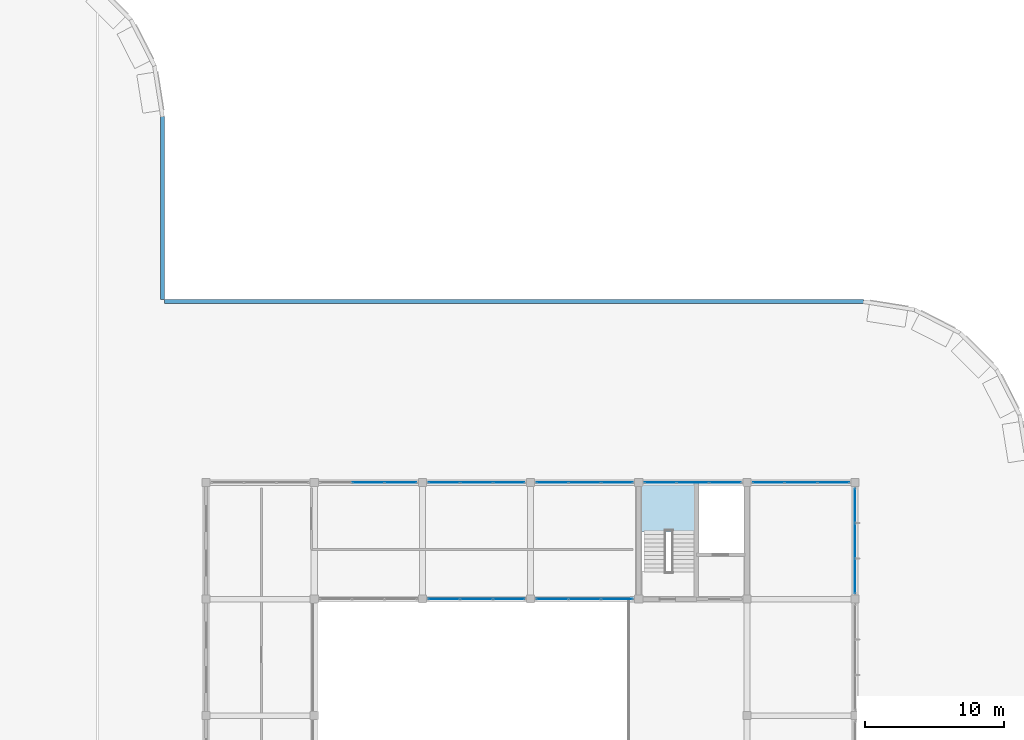
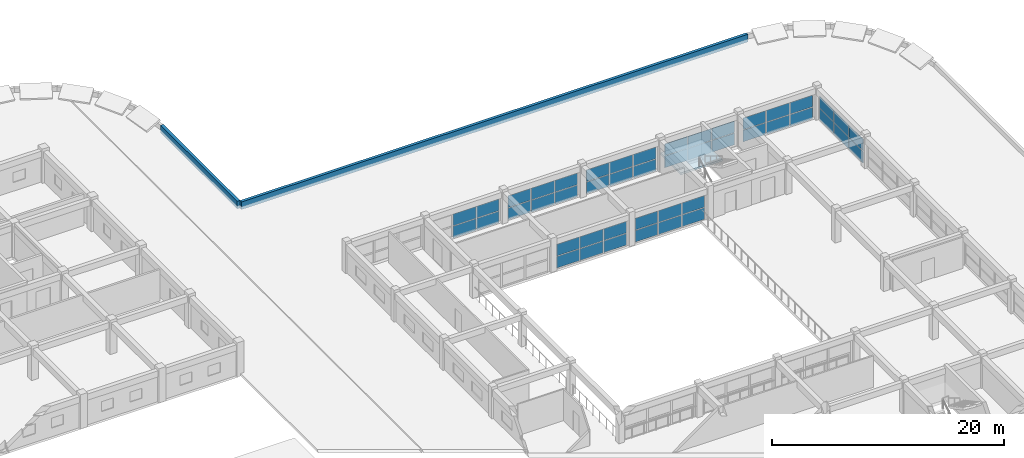
# One storey, part 84 of 101: 48 plates, 1 slab, 9 elements without a shape of their own.
"""IFC4 building model written with IfcOpenShell, lengths in metres."""

import ifcopenshell
import ifcopenshell.guid

model = None  # the IFC model being written
_history = None  # IfcOwnerHistory: only IFC2X3 demands one
_inside = {}  # id of a spatial element -> (the spatial element, [elements in it])
_under = {}  # id of a project, library or spatial element -> (it, [spatial elements below it])
_declared = {}  # id of a project -> (the project, [libraries it declares])
_typed = {}  # id of a type object -> (the type object, [elements of that type])
_made_of = {}  # id of a material, layer set ... -> (it, [elements and type objects made of it])


def new_model(schema):
    """Start an empty IFC model of exactly this schema.

    Asked for "IFC4X3", IfcOpenShell would pick the latest addendum, in which some entities
    have other attributes; the version numbers below select the first issue.
    IFC2X3 requires an IfcOwnerHistory on every rooted entity: one is made here for all.
    """
    global model, _history
    if schema == "IFC4X3":
        model = ifcopenshell.file(schema_version=(4, 3, 0, 0))
    else:
        model = ifcopenshell.file(schema=schema)
    _inside.clear()
    _under.clear()
    _declared.clear()
    _typed.clear()
    _made_of.clear()
    _history = None
    if model.schema == "IFC2X3":
        org = make("IfcOrganization", Name="unknown")
        user = make(
            "IfcPersonAndOrganization",
            ThePerson=make("IfcPerson", FamilyName="unknown"),
            TheOrganization=org,
        )
        app = make(
            "IfcApplication",
            ApplicationDeveloper=org,
            Version="unknown",
            ApplicationFullName="unknown",
            ApplicationIdentifier="unknown",
        )
        _history = make(
            "IfcOwnerHistory",
            OwningUser=user,
            OwningApplication=app,
            ChangeAction="ADDED",
            CreationDate=0,
        )
    return model


def make(cls, **values):
    """One entity of the class cls with the attributes given. An attribute that is None is left unset."""
    return model.create_entity(
        cls, **{name: value for name, value in values.items() if value is not None}
    )


def rooted(cls, **values):
    """An entity with a GlobalId (a new one), such as an element, a storey or a relation."""
    return make(cls, GlobalId=ifcopenshell.guid.new(), OwnerHistory=_history, **values)


def si_unit(unit_type, name, prefix=None):
    """IfcSIUnit, for example si_unit("LENGTHUNIT", "METRE", prefix="MILLI")."""
    return make("IfcSIUnit", UnitType=unit_type, Prefix=prefix, Name=name)


def assignment(units):
    """IfcUnitAssignment: the units of a project."""
    return None if units is None else make("IfcUnitAssignment", Units=units)


def point(xyz):
    """IfcCartesianPoint."""
    return None if xyz is None else make("IfcCartesianPoint", Coordinates=xyz)


def direction(xyz):
    """IfcDirection."""
    return None if xyz is None else make("IfcDirection", DirectionRatios=xyz)


def frame(location, z_axis=None, x_axis=None):
    """IfcAxis2Placement3D, a coordinate frame: its origin and axes. An axis left out is left unset."""
    return make(
        "IfcAxis2Placement3D",
        Location=point(location),
        Axis=direction(z_axis),
        RefDirection=direction(x_axis),
    )


def frame_2d(location, x_axis=None):
    """IfcAxis2Placement2D, a coordinate frame in the plane: its origin and x axis."""
    return make(
        "IfcAxis2Placement2D", Location=point(location), RefDirection=direction(x_axis)
    )


def origin():
    """The frame at (0, 0, 0) with its axes left unset."""
    return frame((0.0, 0.0, 0.0))


def origin_2d():
    """The frame at (0, 0) in the plane with its x axis left unset."""
    return frame_2d((0.0, 0.0))


def place(relative_to, where):
    """IfcLocalPlacement: puts the frame where relative to a parent placement (None: the world)."""
    return make(
        "IfcLocalPlacement", PlacementRelTo=relative_to, RelativePlacement=where
    )


def context(
    kind, dimensions, precision=None, world=None, true_north=None, identifier=None
):
    """IfcGeometricRepresentationContext, for example the 3D "Model" context."""
    return make(
        "IfcGeometricRepresentationContext",
        ContextIdentifier=identifier,
        ContextType=kind,
        CoordinateSpaceDimension=dimensions,
        Precision=precision,
        WorldCoordinateSystem=world,
        TrueNorth=true_north,
    )


def subcontext(parent, identifier, kind, view, scale=None):
    """IfcGeometricRepresentationSubContext, for example "Body" below "Model"."""
    return make(
        "IfcGeometricRepresentationSubContext",
        ContextIdentifier=identifier,
        ContextType=kind,
        ParentContext=parent,
        TargetScale=scale,
        TargetView=view,
    )


def project(units=None, contexts=None):
    """IfcProject with its units and contexts."""
    return rooted(
        "IfcProject",
        Name="project",
        RepresentationContexts=contexts,
        UnitsInContext=assignment(units),
    )


def spatial(cls, under=None, at=None, **own):
    """A site, building, storey or space (cls), placed at a placement, below another one or the project."""
    s = rooted(cls, ObjectPlacement=at, **own)
    if under is not None:
        _under.setdefault(under.id(), (under, []))[1].append(s)
    return s


def polyline(points):
    """IfcPolyline through the points."""
    return make("IfcPolyline", Points=[point(p) for p in points])


def profile(cls, at=None, kind="AREA", **sizes):
    """A parametric profile (cls). Its sizes go by their IFC names, for example OverallWidth=200.0."""
    return make(cls, ProfileType=kind, Position=at, **sizes)


def rectangle(**sizes):
    """IfcRectangleProfileDef."""
    return profile("IfcRectangleProfileDef", **sizes)


def outline(outer, holes=None, kind="AREA"):
    """IfcArbitraryClosedProfileDef: a profile drawn as a closed curve; with holes, ...WithVoids."""
    if holes is None:
        return make("IfcArbitraryClosedProfileDef", ProfileType=kind, OuterCurve=outer)
    return make(
        "IfcArbitraryProfileDefWithVoids",
        ProfileType=kind,
        OuterCurve=outer,
        InnerCurves=holes,
    )


def extrude(swept, where, along, depth):
    """IfcExtrudedAreaSolid: the profile swept, set in the frame where, extruded along a direction by depth."""
    return make(
        "IfcExtrudedAreaSolid",
        SweptArea=swept,
        Position=where,
        ExtrudedDirection=direction(along),
        Depth=depth,
    )


def shape(context_of_items, identifier, shape_type, items):
    """IfcShapeRepresentation: the items that make up one representation, for example the "Body"."""
    return make(
        "IfcShapeRepresentation",
        ContextOfItems=context_of_items,
        RepresentationIdentifier=identifier,
        RepresentationType=shape_type,
        Items=items,
    )


def material(Name=None, Category=None):
    """IfcMaterial."""
    return make("IfcMaterial", Name=Name, Category=Category)


def layer(
    of_material, thickness, ventilated=None, Name=None, Category=None, Priority=None
):
    """IfcMaterialLayer: one layer of a wall or slab, of a material (None: an air gap)."""
    return make(
        "IfcMaterialLayer",
        Material=of_material,
        LayerThickness=thickness,
        IsVentilated=ventilated,
        Name=Name,
        Category=Category,
        Priority=Priority,
    )


def layer_set(layers, Name=None):
    """IfcMaterialLayerSet."""
    return make("IfcMaterialLayerSet", MaterialLayers=layers, LayerSetName=Name)


def made_of(thing, what):
    """Note that an element or type object is made of a material, layer set ...; save() writes the relation."""
    if what is not None:
        _made_of.setdefault(what.id(), (what, []))[1].append(thing)
    return thing


def type_object(cls, material=None, **own):
    """A type object (cls), such as IfcWallType, which elements share."""
    return made_of(rooted(cls, **own), material)


def element(
    cls,
    number,
    at=None,
    inside=None,
    cuts=None,
    type_object=None,
    material=None,
    context=None,
    identifier="Body",
    shape_type=None,
    held_by="IfcProductDefinitionShape",
    body=None,
    shapes=None,
    **own,
):
    """One element of the class cls, such as IfcWall. Its Tag is "e" and its number.

    at: its placement. inside: the storey or other place that contains it. cuts: it is an
    opening in that element (IfcRelVoidsElement). A single representation is given by context,
    identifier, shape_type and body (its items); several are given by shapes. held_by: the class
    of the entity that holds the representations. save() writes the other relations.
    """
    e = rooted(cls, Tag="e%d" % number, ObjectPlacement=at, **own)
    if body is not None:
        shapes = [shape(context, identifier, shape_type, body)]
    if shapes is not None:
        e.Representation = make(held_by, Representations=shapes)
    if inside is not None:
        _inside.setdefault(inside.id(), (inside, []))[1].append(e)
    if cuts is not None:
        rooted(
            "IfcRelVoidsElement", RelatingBuildingElement=cuts, RelatedOpeningElement=e
        )
    if type_object is not None:
        _typed.setdefault(type_object.id(), (type_object, []))[1].append(e)
    return made_of(e, material)


def aggregate(whole, parts):
    """IfcRelAggregates: a whole, such as a stair, and the parts it consists of."""
    return rooted("IfcRelAggregates", RelatingObject=whole, RelatedObjects=parts)


def save(model, path):
    """Write the relations noted so far, then the file.

    IfcRelAggregates (storeys below a building ...), IfcRelContainedInSpatialStructure (elements
    in a storey), IfcRelDefinesByType, IfcRelAssociatesMaterial and IfcRelDeclares: one each for
    every whole, place, type object, material and project.
    """
    for whole, parts in _under.values():
        aggregate(whole, parts)
    for where, things in _inside.values():
        rooted(
            "IfcRelContainedInSpatialStructure",
            RelatedElements=things,
            RelatingStructure=where,
        )
    for kind, things in _typed.values():
        rooted("IfcRelDefinesByType", RelatedObjects=things, RelatingType=kind)
    for what, things in _made_of.values():
        rooted("IfcRelAssociatesMaterial", RelatedObjects=things, RelatingMaterial=what)
    for by, libraries in _declared.values():
        rooted("IfcRelDeclares", RelatingContext=by, RelatedDefinitions=libraries)
    model.write(path)


model = new_model("IFC4")

# Units and contexts
model_context = context("Model", 3, precision=1e-05, world=origin(), true_north=direction((0.0, 1.0)))
body_context = subcontext(model_context, "Body", "Model", "MODEL_VIEW")
ifc_project = project(units=[si_unit("LENGTHUNIT", "METRE"), si_unit("AREAUNIT", "SQUARE_METRE"), si_unit("VOLUMEUNIT", "CUBIC_METRE"), si_unit("PLANEANGLEUNIT", "RADIAN"), si_unit("MASSUNIT", "GRAM", prefix="KILO")], contexts=[model_context])

# Site, building, storey
site_placement = place(None, origin())
site = spatial("IfcSite", under=ifc_project, at=site_placement, CompositionType="ELEMENT")
building_placement = place(site_placement, origin())
building = spatial("IfcBuilding", under=site, at=building_placement, Name="Zizhar Promenade General Hospital", CompositionType="ELEMENT")
storey_placement = place(building_placement, frame((0.0, 0.0, 14.39990234375)))
storey = spatial("IfcBuildingStorey", under=building, at=storey_placement, Name="L03", CompositionType="ELEMENT", Elevation=14.39990234375)

# Curtain wall, plates
ifc_material_1 = material(Name="Anodised aluminium 6063-T6 and low-E glass", Category="aluminium")
ifc_layer_1 = layer(ifc_material_1, 0.159912109375)
ifc_layer_set_1 = layer_set([ifc_layer_1], Name="Anodised aluminium 6063-T6 and low-E glass")
curtain_wall_type_1 = type_object("IfcCurtainWallType", Name="CW-CLN-L03", PredefinedType="NOTDEFINED", material=ifc_layer_set_1)
curtain_wall_1_placement = place(storey_placement, origin())
curtain_wall_1 = element("IfcCurtainWall", 1, at=curtain_wall_1_placement, inside=storey, type_object=curtain_wall_type_1, Name="L03 Clinic Pavilion North Glazing 19", PredefinedType="NOTDEFINED")
ifc_material_2 = material(Name="Low-E solar-control glass", Category="glass")
ifc_layer_2 = layer(ifc_material_2, 0.031982421875)
ifc_layer_set_2 = layer_set([ifc_layer_2], Name="Low-E solar-control glass")
plate_type_1 = type_object("IfcPlateType", Name="CWP-GLZ-32", PredefinedType="CURTAIN_PANEL", material=ifc_layer_set_2)
plate_1_placement = place(storey_placement, frame((152.10009765625, 100.800048828125, 0.06005859375), z_axis=(0.0, 0.0, 1.0), x_axis=(1.0, 0.0, 0.0)))
plate_1 = element("IfcPlate", 2, at=plate_1_placement, type_object=plate_type_1, Name="CW-11 panel 2.1", PredefinedType="CURTAIN_PANEL", context=body_context, shape_type="SweptSolid", body=[
    extrude(rectangle(XDim=2.280029296875, YDim=0.031982421875, at=origin_2d()), origin(), (0.0, 0.0, 1.0), 1.219970703125),
])
plate_2_placement = place(storey_placement, frame((152.10009765625, 100.800048828125, 1.34033203125), z_axis=(0.0, 0.0, 1.0), x_axis=(1.0, 0.0, 0.0)))
plate_2 = element("IfcPlate", 3, at=plate_2_placement, type_object=plate_type_1, Name="CW-11 panel 2.2", PredefinedType="CURTAIN_PANEL", context=body_context, shape_type="SweptSolid", body=[
    extrude(rectangle(XDim=2.280029296875, YDim=0.031982421875, at=origin_2d()), origin(), (0.0, 0.0, 1.0), 1.219970703125),
])
plate_3_placement = place(storey_placement, frame((154.43994140625, 100.800048828125, 0.06005859375), z_axis=(0.0, 0.0, 1.0), x_axis=(1.0, 0.0, 0.0)))
plate_3 = element("IfcPlate", 4, at=plate_3_placement, type_object=plate_type_1, Name="CW-11 panel 3.1", PredefinedType="CURTAIN_PANEL", context=body_context, shape_type="SweptSolid", body=[
    extrude(rectangle(XDim=2.239990234375, YDim=0.031982421875, at=origin_2d()), origin(), (0.0, 0.0, 1.0), 1.219970703125),
])
plate_4_placement = place(storey_placement, frame((154.43994140625, 100.800048828125, 1.34033203125), z_axis=(0.0, 0.0, 1.0), x_axis=(1.0, 0.0, 0.0)))
plate_4 = element("IfcPlate", 5, at=plate_4_placement, type_object=plate_type_1, Name="CW-11 panel 3.2", PredefinedType="CURTAIN_PANEL", context=body_context, shape_type="SweptSolid", body=[
    extrude(rectangle(XDim=2.239990234375, YDim=0.031982421875, at=origin_2d()), origin(), (0.0, 0.0, 1.0), 1.219970703125),
])
aggregate(curtain_wall_1, [plate_1, plate_2, plate_3, plate_4])

curtain_wall_2_placement = place(storey_placement, origin())
curtain_wall_2 = element("IfcCurtainWall", 6, at=curtain_wall_2_placement, inside=storey, type_object=curtain_wall_type_1, Name="L03 Clinic Pavilion North Glazing 20", PredefinedType="NOTDEFINED")
plate_5_placement = place(storey_placement, frame((157.56005859375, 100.800048828125, 0.06005859375), z_axis=(0.0, 0.0, 1.0), x_axis=(1.0, 0.0, 0.0)))
plate_5 = element("IfcPlate", 7, at=plate_5_placement, type_object=plate_type_1, Name="CW-11 panel 1.1", PredefinedType="CURTAIN_PANEL", context=body_context, shape_type="SweptSolid", body=[
    extrude(rectangle(XDim=2.239990234375, YDim=0.031982421875, at=origin_2d()), origin(), (0.0, 0.0, 1.0), 1.219970703125),
])
plate_6_placement = place(storey_placement, frame((157.56005859375, 100.800048828125, 1.34033203125), z_axis=(0.0, 0.0, 1.0), x_axis=(1.0, 0.0, 0.0)))
plate_6 = element("IfcPlate", 8, at=plate_6_placement, type_object=plate_type_1, Name="CW-11 panel 1.2", PredefinedType="CURTAIN_PANEL", context=body_context, shape_type="SweptSolid", body=[
    extrude(rectangle(XDim=2.239990234375, YDim=0.031982421875, at=origin_2d()), origin(), (0.0, 0.0, 1.0), 1.219970703125),
])
plate_7_placement = place(storey_placement, frame((159.89990234375, 100.800048828125, 0.06005859375), z_axis=(0.0, 0.0, 1.0), x_axis=(1.0, 0.0, 0.0)))
plate_7 = element("IfcPlate", 9, at=plate_7_placement, type_object=plate_type_1, Name="CW-11 panel 2.1", PredefinedType="CURTAIN_PANEL", context=body_context, shape_type="SweptSolid", body=[
    extrude(rectangle(XDim=2.280029296875, YDim=0.031982421875, at=origin_2d()), origin(), (0.0, 0.0, 1.0), 1.219970703125),
])
plate_8_placement = place(storey_placement, frame((159.89990234375, 100.800048828125, 1.34033203125), z_axis=(0.0, 0.0, 1.0), x_axis=(1.0, 0.0, 0.0)))
plate_8 = element("IfcPlate", 10, at=plate_8_placement, type_object=plate_type_1, Name="CW-11 panel 2.2", PredefinedType="CURTAIN_PANEL", context=body_context, shape_type="SweptSolid", body=[
    extrude(rectangle(XDim=2.280029296875, YDim=0.031982421875, at=origin_2d()), origin(), (0.0, 0.0, 1.0), 1.219970703125),
])
plate_9_placement = place(storey_placement, frame((162.239990234375, 100.800048828125, 0.06005859375), z_axis=(0.0, 0.0, 1.0), x_axis=(1.0, 0.0, 0.0)))
plate_9 = element("IfcPlate", 11, at=plate_9_placement, type_object=plate_type_1, Name="CW-11 panel 3.1", PredefinedType="CURTAIN_PANEL", context=body_context, shape_type="SweptSolid", body=[
    extrude(rectangle(XDim=2.239990234375, YDim=0.031982421875, at=origin_2d()), origin(), (0.0, 0.0, 1.0), 1.219970703125),
])
plate_10_placement = place(storey_placement, frame((162.239990234375, 100.800048828125, 1.34033203125), z_axis=(0.0, 0.0, 1.0), x_axis=(1.0, 0.0, 0.0)))
plate_10 = element("IfcPlate", 12, at=plate_10_placement, type_object=plate_type_1, Name="CW-11 panel 3.2", PredefinedType="CURTAIN_PANEL", context=body_context, shape_type="SweptSolid", body=[
    extrude(rectangle(XDim=2.239990234375, YDim=0.031982421875, at=origin_2d()), origin(), (0.0, 0.0, 1.0), 1.219970703125),
])
aggregate(curtain_wall_2, [plate_5, plate_6, plate_7, plate_8, plate_9, plate_10])

curtain_wall_3_placement = place(storey_placement, origin())
curtain_wall_3 = element("IfcCurtainWall", 13, at=curtain_wall_3_placement, inside=storey, type_object=curtain_wall_type_1, Name="L03 Clinic Pavilion North Glazing 21", PredefinedType="NOTDEFINED")
plate_11_placement = place(storey_placement, frame((165.360107421875, 100.800048828125, 0.06005859375), z_axis=(0.0, 0.0, 1.0), x_axis=(1.0, 0.0, 0.0)))
plate_11 = element("IfcPlate", 14, at=plate_11_placement, type_object=plate_type_1, Name="CW-11 panel 1.1", PredefinedType="CURTAIN_PANEL", context=body_context, shape_type="SweptSolid", body=[
    extrude(rectangle(XDim=2.239990234375, YDim=0.031982421875, at=origin_2d()), origin(), (0.0, 0.0, 1.0), 1.219970703125),
])
plate_12_placement = place(storey_placement, frame((165.360107421875, 100.800048828125, 1.34033203125), z_axis=(0.0, 0.0, 1.0), x_axis=(1.0, 0.0, 0.0)))
plate_12 = element("IfcPlate", 15, at=plate_12_placement, type_object=plate_type_1, Name="CW-11 panel 1.2", PredefinedType="CURTAIN_PANEL", context=body_context, shape_type="SweptSolid", body=[
    extrude(rectangle(XDim=2.239990234375, YDim=0.031982421875, at=origin_2d()), origin(), (0.0, 0.0, 1.0), 1.219970703125),
])
plate_13_placement = place(storey_placement, frame((167.699951171875, 100.800048828125, 0.06005859375), z_axis=(0.0, 0.0, 1.0), x_axis=(1.0, 0.0, 0.0)))
plate_13 = element("IfcPlate", 16, at=plate_13_placement, type_object=plate_type_1, Name="CW-11 panel 2.1", PredefinedType="CURTAIN_PANEL", context=body_context, shape_type="SweptSolid", body=[
    extrude(rectangle(XDim=2.280029296875, YDim=0.031982421875, at=origin_2d()), origin(), (0.0, 0.0, 1.0), 1.219970703125),
])
plate_14_placement = place(storey_placement, frame((167.699951171875, 100.800048828125, 1.34033203125), z_axis=(0.0, 0.0, 1.0), x_axis=(1.0, 0.0, 0.0)))
plate_14 = element("IfcPlate", 17, at=plate_14_placement, type_object=plate_type_1, Name="CW-11 panel 2.2", PredefinedType="CURTAIN_PANEL", context=body_context, shape_type="SweptSolid", body=[
    extrude(rectangle(XDim=2.280029296875, YDim=0.031982421875, at=origin_2d()), origin(), (0.0, 0.0, 1.0), 1.219970703125),
])
plate_15_placement = place(storey_placement, frame((170.0400390625, 100.800048828125, 0.06005859375), z_axis=(0.0, 0.0, 1.0), x_axis=(1.0, 0.0, 0.0)))
plate_15 = element("IfcPlate", 18, at=plate_15_placement, type_object=plate_type_1, Name="CW-11 panel 3.1", PredefinedType="CURTAIN_PANEL", context=body_context, shape_type="SweptSolid", body=[
    extrude(rectangle(XDim=2.239990234375, YDim=0.031982421875, at=origin_2d()), origin(), (0.0, 0.0, 1.0), 1.219970703125),
])
plate_16_placement = place(storey_placement, frame((170.0400390625, 100.800048828125, 1.34033203125), z_axis=(0.0, 0.0, 1.0), x_axis=(1.0, 0.0, 0.0)))
plate_16 = element("IfcPlate", 19, at=plate_16_placement, type_object=plate_type_1, Name="CW-11 panel 3.2", PredefinedType="CURTAIN_PANEL", context=body_context, shape_type="SweptSolid", body=[
    extrude(rectangle(XDim=2.239990234375, YDim=0.031982421875, at=origin_2d()), origin(), (0.0, 0.0, 1.0), 1.219970703125),
])
aggregate(curtain_wall_3, [plate_11, plate_12, plate_13, plate_14, plate_15, plate_16])

curtain_wall_4_placement = place(storey_placement, origin())
curtain_wall_4 = element("IfcCurtainWall", 20, at=curtain_wall_4_placement, inside=storey, type_object=curtain_wall_type_1, Name="L03 Clinic Pavilion North Glazing 22", PredefinedType="NOTDEFINED")
plate_17_placement = place(storey_placement, frame((173.159912109375, 100.800048828125, 0.06005859375), z_axis=(0.0, 0.0, 1.0), x_axis=(1.0, 0.0, 0.0)))
plate_17 = element("IfcPlate", 21, at=plate_17_placement, type_object=plate_type_1, Name="CW-11 panel 1.1", PredefinedType="CURTAIN_PANEL", context=body_context, shape_type="SweptSolid", body=[
    extrude(rectangle(XDim=2.239990234375, YDim=0.031982421875, at=origin_2d()), origin(), (0.0, 0.0, 1.0), 1.219970703125),
])
plate_18_placement = place(storey_placement, frame((173.159912109375, 100.800048828125, 1.34033203125), z_axis=(0.0, 0.0, 1.0), x_axis=(1.0, 0.0, 0.0)))
plate_18 = element("IfcPlate", 22, at=plate_18_placement, type_object=plate_type_1, Name="CW-11 panel 1.2", PredefinedType="CURTAIN_PANEL", context=body_context, shape_type="SweptSolid", body=[
    extrude(rectangle(XDim=2.239990234375, YDim=0.031982421875, at=origin_2d()), origin(), (0.0, 0.0, 1.0), 1.219970703125),
])
plate_19_placement = place(storey_placement, frame((175.5, 100.800048828125, 0.06005859375), z_axis=(0.0, 0.0, 1.0), x_axis=(1.0, 0.0, 0.0)))
plate_19 = element("IfcPlate", 23, at=plate_19_placement, type_object=plate_type_1, Name="CW-11 panel 2.1", PredefinedType="CURTAIN_PANEL", context=body_context, shape_type="SweptSolid", body=[
    extrude(rectangle(XDim=2.280029296875, YDim=0.031982421875, at=origin_2d()), origin(), (0.0, 0.0, 1.0), 1.219970703125),
])
plate_20_placement = place(storey_placement, frame((175.5, 100.800048828125, 1.34033203125), z_axis=(0.0, 0.0, 1.0), x_axis=(1.0, 0.0, 0.0)))
plate_20 = element("IfcPlate", 24, at=plate_20_placement, type_object=plate_type_1, Name="CW-11 panel 2.2", PredefinedType="CURTAIN_PANEL", context=body_context, shape_type="SweptSolid", body=[
    extrude(rectangle(XDim=2.280029296875, YDim=0.031982421875, at=origin_2d()), origin(), (0.0, 0.0, 1.0), 1.219970703125),
])
plate_21_placement = place(storey_placement, frame((177.840087890625, 100.800048828125, 0.06005859375), z_axis=(0.0, 0.0, 1.0), x_axis=(1.0, 0.0, 0.0)))
plate_21 = element("IfcPlate", 25, at=plate_21_placement, type_object=plate_type_1, Name="CW-11 panel 3.1", PredefinedType="CURTAIN_PANEL", context=body_context, shape_type="SweptSolid", body=[
    extrude(rectangle(XDim=2.239990234375, YDim=0.031982421875, at=origin_2d()), origin(), (0.0, 0.0, 1.0), 1.219970703125),
])
plate_22_placement = place(storey_placement, frame((177.840087890625, 100.800048828125, 1.34033203125), z_axis=(0.0, 0.0, 1.0), x_axis=(1.0, 0.0, 0.0)))
plate_22 = element("IfcPlate", 26, at=plate_22_placement, type_object=plate_type_1, Name="CW-11 panel 3.2", PredefinedType="CURTAIN_PANEL", context=body_context, shape_type="SweptSolid", body=[
    extrude(rectangle(XDim=2.239990234375, YDim=0.031982421875, at=origin_2d()), origin(), (0.0, 0.0, 1.0), 1.219970703125),
])
aggregate(curtain_wall_4, [plate_17, plate_18, plate_19, plate_20, plate_21, plate_22])

curtain_wall_5_placement = place(storey_placement, origin())
curtain_wall_5 = element("IfcCurtainWall", 27, at=curtain_wall_5_placement, inside=storey, type_object=curtain_wall_type_1, Name="L03 Clinic Pavilion North Glazing 23", PredefinedType="NOTDEFINED")
plate_23_placement = place(storey_placement, frame((180.9599609375, 100.800048828125, 0.06005859375), z_axis=(0.0, 0.0, 1.0), x_axis=(1.0, 0.0, 0.0)))
plate_23 = element("IfcPlate", 28, at=plate_23_placement, type_object=plate_type_1, Name="CW-11 panel 1.1", PredefinedType="CURTAIN_PANEL", context=body_context, shape_type="SweptSolid", body=[
    extrude(rectangle(XDim=2.239990234375, YDim=0.031982421875, at=origin_2d()), origin(), (0.0, 0.0, 1.0), 1.219970703125),
])
plate_24_placement = place(storey_placement, frame((180.9599609375, 100.800048828125, 1.34033203125), z_axis=(0.0, 0.0, 1.0), x_axis=(1.0, 0.0, 0.0)))
plate_24 = element("IfcPlate", 29, at=plate_24_placement, type_object=plate_type_1, Name="CW-11 panel 1.2", PredefinedType="CURTAIN_PANEL", context=body_context, shape_type="SweptSolid", body=[
    extrude(rectangle(XDim=2.239990234375, YDim=0.031982421875, at=origin_2d()), origin(), (0.0, 0.0, 1.0), 1.219970703125),
])
plate_25_placement = place(storey_placement, frame((183.300048828125, 100.800048828125, 0.06005859375), z_axis=(0.0, 0.0, 1.0), x_axis=(1.0, 0.0, 0.0)))
plate_25 = element("IfcPlate", 30, at=plate_25_placement, type_object=plate_type_1, Name="CW-11 panel 2.1", PredefinedType="CURTAIN_PANEL", context=body_context, shape_type="SweptSolid", body=[
    extrude(rectangle(XDim=2.280029296875, YDim=0.031982421875, at=origin_2d()), origin(), (0.0, 0.0, 1.0), 1.219970703125),
])
plate_26_placement = place(storey_placement, frame((183.300048828125, 100.800048828125, 1.34033203125), z_axis=(0.0, 0.0, 1.0), x_axis=(1.0, 0.0, 0.0)))
plate_26 = element("IfcPlate", 31, at=plate_26_placement, type_object=plate_type_1, Name="CW-11 panel 2.2", PredefinedType="CURTAIN_PANEL", context=body_context, shape_type="SweptSolid", body=[
    extrude(rectangle(XDim=2.280029296875, YDim=0.031982421875, at=origin_2d()), origin(), (0.0, 0.0, 1.0), 1.219970703125),
])
plate_27_placement = place(storey_placement, frame((185.639892578125, 100.800048828125, 0.06005859375), z_axis=(0.0, 0.0, 1.0), x_axis=(1.0, 0.0, 0.0)))
plate_27 = element("IfcPlate", 32, at=plate_27_placement, type_object=plate_type_1, Name="CW-11 panel 3.1", PredefinedType="CURTAIN_PANEL", context=body_context, shape_type="SweptSolid", body=[
    extrude(rectangle(XDim=2.239990234375, YDim=0.031982421875, at=origin_2d()), origin(), (0.0, 0.0, 1.0), 1.219970703125),
])
plate_28_placement = place(storey_placement, frame((185.639892578125, 100.800048828125, 1.34033203125), z_axis=(0.0, 0.0, 1.0), x_axis=(1.0, 0.0, 0.0)))
plate_28 = element("IfcPlate", 33, at=plate_28_placement, type_object=plate_type_1, Name="CW-11 panel 3.2", PredefinedType="CURTAIN_PANEL", context=body_context, shape_type="SweptSolid", body=[
    extrude(rectangle(XDim=2.239990234375, YDim=0.031982421875, at=origin_2d()), origin(), (0.0, 0.0, 1.0), 1.219970703125),
])
aggregate(curtain_wall_5, [plate_23, plate_24, plate_25, plate_26, plate_27, plate_28])

curtain_wall_6_placement = place(storey_placement, origin())
curtain_wall_6 = element("IfcCurtainWall", 34, at=curtain_wall_6_placement, inside=storey, type_object=curtain_wall_type_1, Name="L03 Clinic Pavilion East Glazing 11", PredefinedType="NOTDEFINED")
plate_29_placement = place(storey_placement, frame((187.199951171875, 99.139892578125, 0.06005859375), z_axis=(0.0, 0.0, 1.0), x_axis=(0.0, -1.0, 0.0)))
plate_29 = element("IfcPlate", 35, at=plate_29_placement, type_object=plate_type_1, Name="CW-11 panel 1.1", PredefinedType="CURTAIN_PANEL", context=body_context, shape_type="SweptSolid", body=[
    extrude(rectangle(XDim=2.43994140625, YDim=0.031982421875, at=origin_2d()), origin(), (0.0, 0.0, 1.0), 1.219970703125),
])
plate_30_placement = place(storey_placement, frame((187.199951171875, 99.139892578125, 1.34033203125), z_axis=(0.0, 0.0, 1.0), x_axis=(0.0, -1.0, 0.0)))
plate_30 = element("IfcPlate", 36, at=plate_30_placement, type_object=plate_type_1, Name="CW-11 panel 1.2", PredefinedType="CURTAIN_PANEL", context=body_context, shape_type="SweptSolid", body=[
    extrude(rectangle(XDim=2.43994140625, YDim=0.031982421875, at=origin_2d()), origin(), (0.0, 0.0, 1.0), 1.219970703125),
])
plate_31_placement = place(storey_placement, frame((187.199951171875, 96.60009765625, 0.06005859375), z_axis=(0.0, 0.0, 1.0), x_axis=(0.0, -1.0, 0.0)))
plate_31 = element("IfcPlate", 37, at=plate_31_placement, type_object=plate_type_1, Name="CW-11 panel 2.1", PredefinedType="CURTAIN_PANEL", context=body_context, shape_type="SweptSolid", body=[
    extrude(rectangle(XDim=2.47998046875, YDim=0.031982421875, at=origin_2d()), origin(), (0.0, 0.0, 1.0), 1.219970703125),
])
plate_32_placement = place(storey_placement, frame((187.199951171875, 96.60009765625, 1.34033203125), z_axis=(0.0, 0.0, 1.0), x_axis=(0.0, -1.0, 0.0)))
plate_32 = element("IfcPlate", 38, at=plate_32_placement, type_object=plate_type_1, Name="CW-11 panel 2.2", PredefinedType="CURTAIN_PANEL", context=body_context, shape_type="SweptSolid", body=[
    extrude(rectangle(XDim=2.47998046875, YDim=0.031982421875, at=origin_2d()), origin(), (0.0, 0.0, 1.0), 1.219970703125),
])
plate_33_placement = place(storey_placement, frame((187.199951171875, 94.06005859375, 0.06005859375), z_axis=(0.0, 0.0, 1.0), x_axis=(0.0, -1.0, 0.0)))
plate_33 = element("IfcPlate", 39, at=plate_33_placement, type_object=plate_type_1, Name="CW-11 panel 3.1", PredefinedType="CURTAIN_PANEL", context=body_context, shape_type="SweptSolid", body=[
    extrude(rectangle(XDim=2.43994140625, YDim=0.031982421875, at=origin_2d()), origin(), (0.0, 0.0, 1.0), 1.219970703125),
])
plate_34_placement = place(storey_placement, frame((187.199951171875, 94.06005859375, 1.34033203125), z_axis=(0.0, 0.0, 1.0), x_axis=(0.0, -1.0, 0.0)))
plate_34 = element("IfcPlate", 40, at=plate_34_placement, type_object=plate_type_1, Name="CW-11 panel 3.2", PredefinedType="CURTAIN_PANEL", context=body_context, shape_type="SweptSolid", body=[
    extrude(rectangle(XDim=2.43994140625, YDim=0.031982421875, at=origin_2d()), origin(), (0.0, 0.0, 1.0), 1.219970703125),
])
aggregate(curtain_wall_6, [plate_29, plate_30, plate_31, plate_32, plate_33, plate_34])

ifc_material_3 = material(Name="Anodised aluminium 6063-T6 and low-E glass", Category="aluminium")
ifc_layer_3 = layer(ifc_material_3, 0.159912109375)
ifc_layer_set_3 = layer_set([ifc_layer_3], Name="Anodised aluminium 6063-T6 and low-E glass")
curtain_wall_type_2 = type_object("IfcCurtainWallType", Name="CW-CLN-CRT", PredefinedType="NOTDEFINED", material=ifc_layer_set_3)
curtain_wall_7_placement = place(storey_placement, origin())
curtain_wall_7 = element("IfcCurtainWall", 41, at=curtain_wall_7_placement, inside=storey, type_object=curtain_wall_type_2, Name="East Light Court North Glazing L03-20", PredefinedType="NOTDEFINED")
plate_35_placement = place(storey_placement, frame((162.239990234375, 92.39990234375, 0.06005859375), z_axis=(0.0, 0.0, 1.0), x_axis=(-1.0, 0.0, 0.0)))
plate_35 = element("IfcPlate", 42, at=plate_35_placement, type_object=plate_type_1, Name="CW-10 panel 1.1", PredefinedType="CURTAIN_PANEL", context=body_context, shape_type="SweptSolid", body=[
    extrude(rectangle(XDim=2.239990234375, YDim=0.031982421875, at=origin_2d()), origin(), (0.0, 0.0, 1.0), 1.219970703125),
])
plate_36_placement = place(storey_placement, frame((162.239990234375, 92.39990234375, 1.34033203125), z_axis=(0.0, 0.0, 1.0), x_axis=(-1.0, 0.0, 0.0)))
plate_36 = element("IfcPlate", 43, at=plate_36_placement, type_object=plate_type_1, Name="CW-10 panel 1.2", PredefinedType="CURTAIN_PANEL", context=body_context, shape_type="SweptSolid", body=[
    extrude(rectangle(XDim=2.239990234375, YDim=0.031982421875, at=origin_2d()), origin(), (0.0, 0.0, 1.0), 1.219970703125),
])
plate_37_placement = place(storey_placement, frame((159.89990234375, 92.39990234375, 0.06005859375), z_axis=(0.0, 0.0, 1.0), x_axis=(-1.0, 0.0, 0.0)))
plate_37 = element("IfcPlate", 44, at=plate_37_placement, type_object=plate_type_1, Name="CW-10 panel 2.1", PredefinedType="CURTAIN_PANEL", context=body_context, shape_type="SweptSolid", body=[
    extrude(rectangle(XDim=2.280029296875, YDim=0.031982421875, at=origin_2d()), origin(), (0.0, 0.0, 1.0), 1.219970703125),
])
plate_38_placement = place(storey_placement, frame((159.89990234375, 92.39990234375, 1.34033203125), z_axis=(0.0, 0.0, 1.0), x_axis=(-1.0, 0.0, 0.0)))
plate_38 = element("IfcPlate", 45, at=plate_38_placement, type_object=plate_type_1, Name="CW-10 panel 2.2", PredefinedType="CURTAIN_PANEL", context=body_context, shape_type="SweptSolid", body=[
    extrude(rectangle(XDim=2.280029296875, YDim=0.031982421875, at=origin_2d()), origin(), (0.0, 0.0, 1.0), 1.219970703125),
])
plate_39_placement = place(storey_placement, frame((157.56005859375, 92.39990234375, 0.06005859375), z_axis=(0.0, 0.0, 1.0), x_axis=(-1.0, 0.0, 0.0)))
plate_39 = element("IfcPlate", 46, at=plate_39_placement, type_object=plate_type_1, Name="CW-10 panel 3.1", PredefinedType="CURTAIN_PANEL", context=body_context, shape_type="SweptSolid", body=[
    extrude(rectangle(XDim=2.239990234375, YDim=0.031982421875, at=origin_2d()), origin(), (0.0, 0.0, 1.0), 1.219970703125),
])
plate_40_placement = place(storey_placement, frame((157.56005859375, 92.39990234375, 1.34033203125), z_axis=(0.0, 0.0, 1.0), x_axis=(-1.0, 0.0, 0.0)))
plate_40 = element("IfcPlate", 47, at=plate_40_placement, type_object=plate_type_1, Name="CW-10 panel 3.2", PredefinedType="CURTAIN_PANEL", context=body_context, shape_type="SweptSolid", body=[
    extrude(rectangle(XDim=2.239990234375, YDim=0.031982421875, at=origin_2d()), origin(), (0.0, 0.0, 1.0), 1.219970703125),
])
aggregate(curtain_wall_7, [plate_35, plate_36, plate_37, plate_38, plate_39, plate_40])

curtain_wall_8_placement = place(storey_placement, origin())
curtain_wall_8 = element("IfcCurtainWall", 48, at=curtain_wall_8_placement, inside=storey, type_object=curtain_wall_type_2, Name="East Light Court North Glazing L03-21", PredefinedType="NOTDEFINED")
plate_41_placement = place(storey_placement, frame((170.0400390625, 92.39990234375, 0.06005859375), z_axis=(0.0, 0.0, 1.0), x_axis=(-1.0, 0.0, 0.0)))
plate_41 = element("IfcPlate", 49, at=plate_41_placement, type_object=plate_type_1, Name="CW-10 panel 1.1", PredefinedType="CURTAIN_PANEL", context=body_context, shape_type="SweptSolid", body=[
    extrude(rectangle(XDim=2.239990234375, YDim=0.031982421875, at=origin_2d()), origin(), (0.0, 0.0, 1.0), 1.219970703125),
])
plate_42_placement = place(storey_placement, frame((170.0400390625, 92.39990234375, 1.34033203125), z_axis=(0.0, 0.0, 1.0), x_axis=(-1.0, 0.0, 0.0)))
plate_42 = element("IfcPlate", 50, at=plate_42_placement, type_object=plate_type_1, Name="CW-10 panel 1.2", PredefinedType="CURTAIN_PANEL", context=body_context, shape_type="SweptSolid", body=[
    extrude(rectangle(XDim=2.239990234375, YDim=0.031982421875, at=origin_2d()), origin(), (0.0, 0.0, 1.0), 1.219970703125),
])
plate_43_placement = place(storey_placement, frame((167.699951171875, 92.39990234375, 0.06005859375), z_axis=(0.0, 0.0, 1.0), x_axis=(-1.0, 0.0, 0.0)))
plate_43 = element("IfcPlate", 51, at=plate_43_placement, type_object=plate_type_1, Name="CW-10 panel 2.1", PredefinedType="CURTAIN_PANEL", context=body_context, shape_type="SweptSolid", body=[
    extrude(rectangle(XDim=2.280029296875, YDim=0.031982421875, at=origin_2d()), origin(), (0.0, 0.0, 1.0), 1.219970703125),
])
plate_44_placement = place(storey_placement, frame((167.699951171875, 92.39990234375, 1.34033203125), z_axis=(0.0, 0.0, 1.0), x_axis=(-1.0, 0.0, 0.0)))
plate_44 = element("IfcPlate", 52, at=plate_44_placement, type_object=plate_type_1, Name="CW-10 panel 2.2", PredefinedType="CURTAIN_PANEL", context=body_context, shape_type="SweptSolid", body=[
    extrude(rectangle(XDim=2.280029296875, YDim=0.031982421875, at=origin_2d()), origin(), (0.0, 0.0, 1.0), 1.219970703125),
])
plate_45_placement = place(storey_placement, frame((165.360107421875, 92.39990234375, 0.06005859375), z_axis=(0.0, 0.0, 1.0), x_axis=(-1.0, 0.0, 0.0)))
plate_45 = element("IfcPlate", 53, at=plate_45_placement, type_object=plate_type_1, Name="CW-10 panel 3.1", PredefinedType="CURTAIN_PANEL", context=body_context, shape_type="SweptSolid", body=[
    extrude(rectangle(XDim=2.239990234375, YDim=0.031982421875, at=origin_2d()), origin(), (0.0, 0.0, 1.0), 1.219970703125),
])
plate_46_placement = place(storey_placement, frame((165.360107421875, 92.39990234375, 1.34033203125), z_axis=(0.0, 0.0, 1.0), x_axis=(-1.0, 0.0, 0.0)))
plate_46 = element("IfcPlate", 54, at=plate_46_placement, type_object=plate_type_1, Name="CW-10 panel 3.2", PredefinedType="CURTAIN_PANEL", context=body_context, shape_type="SweptSolid", body=[
    extrude(rectangle(XDim=2.239990234375, YDim=0.031982421875, at=origin_2d()), origin(), (0.0, 0.0, 1.0), 1.219970703125),
])
aggregate(curtain_wall_8, [plate_41, plate_42, plate_43, plate_44, plate_45, plate_46])

# Plates
ifc_material_4 = material(Name="Precast concrete C40/50", Category="concrete")
ifc_layer_4 = layer(ifc_material_4, 0.260009765625)
ifc_layer_set_4 = layer_set([ifc_layer_4], Name="Precast concrete C40/50")
plate_type_2 = type_object("IfcPlateType", Name="PL-PC-BAND950", PredefinedType="USERDEFINED", material=ifc_layer_set_4)
plate_47_placement = place(storey_placement, frame((0.0, 0.0, -0.0498046875)))
element("IfcPlate", 55, at=plate_47_placement, inside=storey, type_object=plate_type_2, Name="Three-Arm Base Roof Upturned Edge Fascia 20", ObjectType="FASCIA_BAND", PredefinedType="USERDEFINED", context=body_context, shape_type="SweptSolid", body=[
    extrude(outline(polyline([(187.800048828125, 114.0), (137.39990234375, 114.0), (137.39990234375, 113.719970703125), (187.800048828125, 113.719970703125), (187.800048828125, 114.0)])), origin(), (0.0, 0.0, 1.0), 0.7998046875),
])
plate_48_placement = place(storey_placement, frame((0.0, 0.0, -0.0498046875)))
element("IfcPlate", 56, at=plate_48_placement, inside=storey, type_object=plate_type_2, Name="Three-Arm Base Roof Upturned Edge Fascia 21", ObjectType="FASCIA_BAND", PredefinedType="USERDEFINED", context=body_context, shape_type="SweptSolid", body=[
    extrude(outline(polyline([(137.39990234375, 114.0), (137.39990234375, 127.199951171875), (137.1201171875, 127.199951171875), (137.1201171875, 114.0), (137.39990234375, 114.0)])), origin(), (0.0, 0.0, 1.0), 0.7998046875),
])

# Stair, slab
ifc_material_5 = material(Name="Concrete C35/45", Category="concrete")
stair_type = type_object("IfcStairType", Name="STR-DOG-360", PredefinedType="HALF_TURN_STAIR", material=ifc_material_5)
stair_placement = place(storey_placement, origin())
stair = element("IfcStair", 57, at=stair_placement, inside=storey, type_object=stair_type, Name="Exit Stair ST-08 (L03 to L04)", PredefinedType="HALF_TURN_STAIR")
ifc_material_6 = material(Name="Concrete C35/45", Category="concrete")
ifc_layer_5 = layer(ifc_material_6, 0.199951171875)
ifc_layer_set_5 = layer_set([ifc_layer_5], Name="Concrete C35/45")
slab_type = type_object("IfcSlabType", Name="SLB-LAND-360", PredefinedType="LANDING", material=ifc_layer_set_5)
slab_placement = place(storey_placement, frame((0.0, 0.0, 1.60009765625)))
slab = element("IfcSlab", 58, at=slab_placement, type_object=slab_type, Name="ST-08B landing 1", PredefinedType="LANDING", context=body_context, shape_type="SweptSolid", body=[
    extrude(outline(polyline([(171.60009765625, 97.27001953125), (175.75, 97.27001953125), (175.75, 100.800048828125), (171.60009765625, 100.800048828125), (171.60009765625, 97.27001953125)])), origin(), (0.0, 0.0, 1.0), 0.199951171875),
])
aggregate(stair, [slab])

save(model, "model.ifc")
